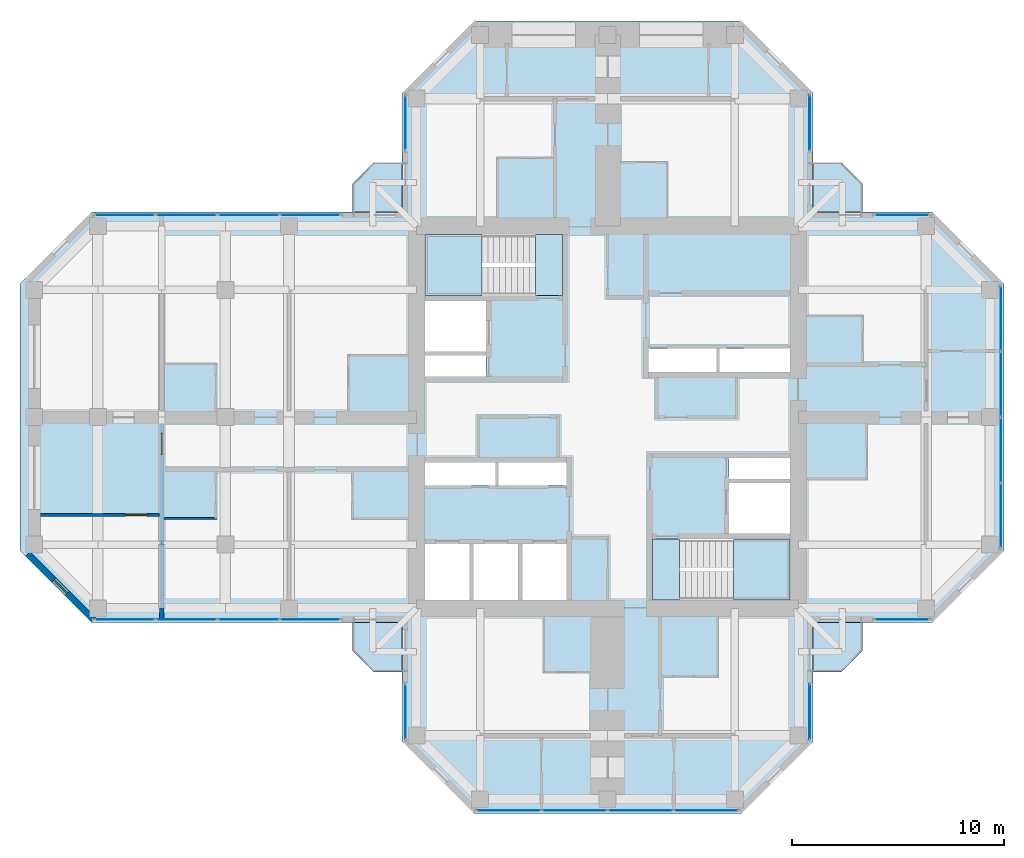
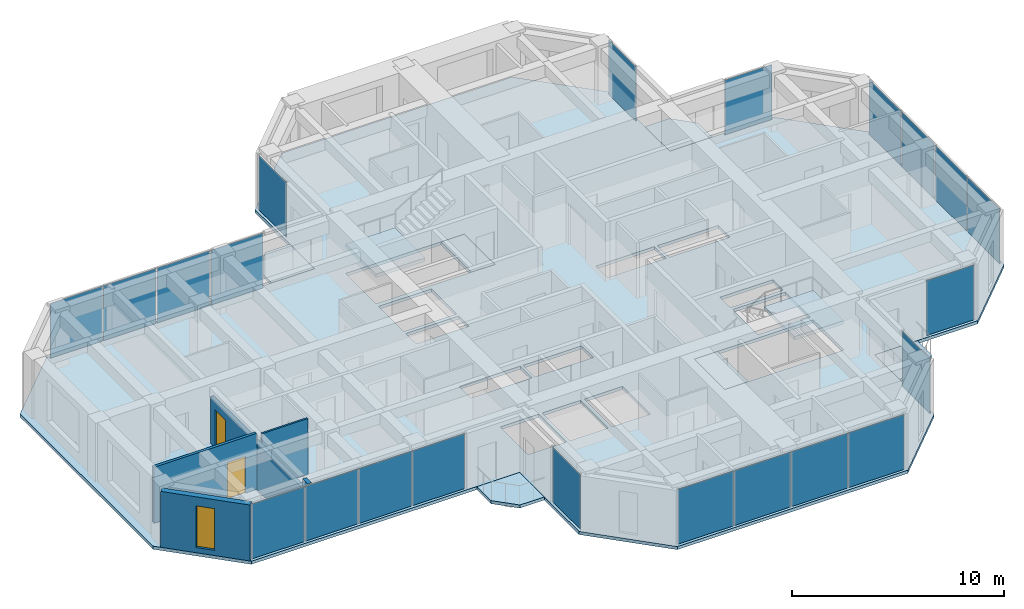
# One storey, part 7 of 14: 22 plates, 9 slabs, 5 walls, 2 doors, 1 window, 3 openings, 12 elements without a shape of their own.
"""IFC4 building model written with IfcOpenShell, lengths in metres."""

import ifcopenshell
import ifcopenshell.guid

model = None  # the IFC model being written
_history = None  # IfcOwnerHistory: only IFC2X3 demands one
_inside = {}  # id of a spatial element -> (the spatial element, [elements in it])
_under = {}  # id of a project, library or spatial element -> (it, [spatial elements below it])
_declared = {}  # id of a project -> (the project, [libraries it declares])
_typed = {}  # id of a type object -> (the type object, [elements of that type])
_made_of = {}  # id of a material, layer set ... -> (it, [elements and type objects made of it])


def new_model(schema):
    """Start an empty IFC model of exactly this schema.

    Asked for "IFC4X3", IfcOpenShell would pick the latest addendum, in which some entities
    have other attributes; the version numbers below select the first issue.
    IFC2X3 requires an IfcOwnerHistory on every rooted entity: one is made here for all.
    """
    global model, _history
    if schema == "IFC4X3":
        model = ifcopenshell.file(schema_version=(4, 3, 0, 0))
    else:
        model = ifcopenshell.file(schema=schema)
    _inside.clear()
    _under.clear()
    _declared.clear()
    _typed.clear()
    _made_of.clear()
    _history = None
    if model.schema == "IFC2X3":
        org = make("IfcOrganization", Name="unknown")
        user = make(
            "IfcPersonAndOrganization",
            ThePerson=make("IfcPerson", FamilyName="unknown"),
            TheOrganization=org,
        )
        app = make(
            "IfcApplication",
            ApplicationDeveloper=org,
            Version="unknown",
            ApplicationFullName="unknown",
            ApplicationIdentifier="unknown",
        )
        _history = make(
            "IfcOwnerHistory",
            OwningUser=user,
            OwningApplication=app,
            ChangeAction="ADDED",
            CreationDate=0,
        )
    return model


def make(cls, **values):
    """One entity of the class cls with the attributes given. An attribute that is None is left unset."""
    return model.create_entity(
        cls, **{name: value for name, value in values.items() if value is not None}
    )


def rooted(cls, **values):
    """An entity with a GlobalId (a new one), such as an element, a storey or a relation."""
    return make(cls, GlobalId=ifcopenshell.guid.new(), OwnerHistory=_history, **values)


def si_unit(unit_type, name, prefix=None):
    """IfcSIUnit, for example si_unit("LENGTHUNIT", "METRE", prefix="MILLI")."""
    return make("IfcSIUnit", UnitType=unit_type, Prefix=prefix, Name=name)


def assignment(units):
    """IfcUnitAssignment: the units of a project."""
    return None if units is None else make("IfcUnitAssignment", Units=units)


def point(xyz):
    """IfcCartesianPoint."""
    return None if xyz is None else make("IfcCartesianPoint", Coordinates=xyz)


def direction(xyz):
    """IfcDirection."""
    return None if xyz is None else make("IfcDirection", DirectionRatios=xyz)


def frame(location, z_axis=None, x_axis=None):
    """IfcAxis2Placement3D, a coordinate frame: its origin and axes. An axis left out is left unset."""
    return make(
        "IfcAxis2Placement3D",
        Location=point(location),
        Axis=direction(z_axis),
        RefDirection=direction(x_axis),
    )


def frame_2d(location, x_axis=None):
    """IfcAxis2Placement2D, a coordinate frame in the plane: its origin and x axis."""
    return make(
        "IfcAxis2Placement2D", Location=point(location), RefDirection=direction(x_axis)
    )


def origin():
    """The frame at (0, 0, 0) with its axes left unset."""
    return frame((0.0, 0.0, 0.0))


def origin_2d():
    """The frame at (0, 0) in the plane with its x axis left unset."""
    return frame_2d((0.0, 0.0))


def place(relative_to, where):
    """IfcLocalPlacement: puts the frame where relative to a parent placement (None: the world)."""
    return make(
        "IfcLocalPlacement", PlacementRelTo=relative_to, RelativePlacement=where
    )


def context(
    kind, dimensions, precision=None, world=None, true_north=None, identifier=None
):
    """IfcGeometricRepresentationContext, for example the 3D "Model" context."""
    return make(
        "IfcGeometricRepresentationContext",
        ContextIdentifier=identifier,
        ContextType=kind,
        CoordinateSpaceDimension=dimensions,
        Precision=precision,
        WorldCoordinateSystem=world,
        TrueNorth=true_north,
    )


def subcontext(parent, identifier, kind, view, scale=None):
    """IfcGeometricRepresentationSubContext, for example "Body" below "Model"."""
    return make(
        "IfcGeometricRepresentationSubContext",
        ContextIdentifier=identifier,
        ContextType=kind,
        ParentContext=parent,
        TargetScale=scale,
        TargetView=view,
    )


def project(units=None, contexts=None):
    """IfcProject with its units and contexts."""
    return rooted(
        "IfcProject",
        Name="project",
        RepresentationContexts=contexts,
        UnitsInContext=assignment(units),
    )


def spatial(cls, under=None, at=None, **own):
    """A site, building, storey or space (cls), placed at a placement, below another one or the project."""
    s = rooted(cls, ObjectPlacement=at, **own)
    if under is not None:
        _under.setdefault(under.id(), (under, []))[1].append(s)
    return s


def polyline(points):
    """IfcPolyline through the points."""
    return make("IfcPolyline", Points=[point(p) for p in points])


def profile(cls, at=None, kind="AREA", **sizes):
    """A parametric profile (cls). Its sizes go by their IFC names, for example OverallWidth=200.0."""
    return make(cls, ProfileType=kind, Position=at, **sizes)


def rectangle(**sizes):
    """IfcRectangleProfileDef."""
    return profile("IfcRectangleProfileDef", **sizes)


def hollow_rectangle(**sizes):
    """IfcRectangleHollowProfileDef."""
    return profile("IfcRectangleHollowProfileDef", **sizes)


def outline(outer, holes=None, kind="AREA"):
    """IfcArbitraryClosedProfileDef: a profile drawn as a closed curve; with holes, ...WithVoids."""
    if holes is None:
        return make("IfcArbitraryClosedProfileDef", ProfileType=kind, OuterCurve=outer)
    return make(
        "IfcArbitraryProfileDefWithVoids",
        ProfileType=kind,
        OuterCurve=outer,
        InnerCurves=holes,
    )


def extrude(swept, where, along, depth):
    """IfcExtrudedAreaSolid: the profile swept, set in the frame where, extruded along a direction by depth."""
    return make(
        "IfcExtrudedAreaSolid",
        SweptArea=swept,
        Position=where,
        ExtrudedDirection=direction(along),
        Depth=depth,
    )


def shape(context_of_items, identifier, shape_type, items):
    """IfcShapeRepresentation: the items that make up one representation, for example the "Body"."""
    return make(
        "IfcShapeRepresentation",
        ContextOfItems=context_of_items,
        RepresentationIdentifier=identifier,
        RepresentationType=shape_type,
        Items=items,
    )


def material(Name=None, Category=None):
    """IfcMaterial."""
    return make("IfcMaterial", Name=Name, Category=Category)


def layer(
    of_material, thickness, ventilated=None, Name=None, Category=None, Priority=None
):
    """IfcMaterialLayer: one layer of a wall or slab, of a material (None: an air gap)."""
    return make(
        "IfcMaterialLayer",
        Material=of_material,
        LayerThickness=thickness,
        IsVentilated=ventilated,
        Name=Name,
        Category=Category,
        Priority=Priority,
    )


def layer_set(layers, Name=None):
    """IfcMaterialLayerSet."""
    return make("IfcMaterialLayerSet", MaterialLayers=layers, LayerSetName=Name)


def constituent(of_material, Name=None, Category=None, fraction=None):
    """IfcMaterialConstituent: one of the materials an element consists of."""
    return make(
        "IfcMaterialConstituent",
        Name=Name,
        Material=of_material,
        Fraction=fraction,
        Category=Category,
    )


def constituent_set(constituents=None, Name=None):
    """IfcMaterialConstituentSet."""
    return make(
        "IfcMaterialConstituentSet", Name=Name, MaterialConstituents=constituents
    )


def made_of(thing, what):
    """Note that an element or type object is made of a material, layer set ...; save() writes the relation."""
    if what is not None:
        _made_of.setdefault(what.id(), (what, []))[1].append(thing)
    return thing


def type_object(cls, material=None, **own):
    """A type object (cls), such as IfcWallType, which elements share."""
    return made_of(rooted(cls, **own), material)


def element(
    cls,
    number,
    at=None,
    inside=None,
    cuts=None,
    type_object=None,
    material=None,
    context=None,
    identifier="Body",
    shape_type=None,
    held_by="IfcProductDefinitionShape",
    body=None,
    shapes=None,
    **own,
):
    """One element of the class cls, such as IfcWall. Its Tag is "e" and its number.

    at: its placement. inside: the storey or other place that contains it. cuts: it is an
    opening in that element (IfcRelVoidsElement). A single representation is given by context,
    identifier, shape_type and body (its items); several are given by shapes. held_by: the class
    of the entity that holds the representations. save() writes the other relations.
    """
    e = rooted(cls, Tag="e%d" % number, ObjectPlacement=at, **own)
    if body is not None:
        shapes = [shape(context, identifier, shape_type, body)]
    if shapes is not None:
        e.Representation = make(held_by, Representations=shapes)
    if inside is not None:
        _inside.setdefault(inside.id(), (inside, []))[1].append(e)
    if cuts is not None:
        rooted(
            "IfcRelVoidsElement", RelatingBuildingElement=cuts, RelatedOpeningElement=e
        )
    if type_object is not None:
        _typed.setdefault(type_object.id(), (type_object, []))[1].append(e)
    return made_of(e, material)


def fill(opening, filler):
    """IfcRelFillsElement: the door or window that sits in an opening."""
    return rooted(
        "IfcRelFillsElement",
        RelatingOpeningElement=opening,
        RelatedBuildingElement=filler,
    )


def aggregate(whole, parts):
    """IfcRelAggregates: a whole, such as a stair, and the parts it consists of."""
    return rooted("IfcRelAggregates", RelatingObject=whole, RelatedObjects=parts)


def save(model, path):
    """Write the relations noted so far, then the file.

    IfcRelAggregates (storeys below a building ...), IfcRelContainedInSpatialStructure (elements
    in a storey), IfcRelDefinesByType, IfcRelAssociatesMaterial and IfcRelDeclares: one each for
    every whole, place, type object, material and project.
    """
    for whole, parts in _under.values():
        aggregate(whole, parts)
    for where, things in _inside.values():
        rooted(
            "IfcRelContainedInSpatialStructure",
            RelatedElements=things,
            RelatingStructure=where,
        )
    for kind, things in _typed.values():
        rooted("IfcRelDefinesByType", RelatedObjects=things, RelatingType=kind)
    for what, things in _made_of.values():
        rooted("IfcRelAssociatesMaterial", RelatedObjects=things, RelatingMaterial=what)
    for by, libraries in _declared.values():
        rooted("IfcRelDeclares", RelatingContext=by, RelatedDefinitions=libraries)
    model.write(path)


model = new_model("IFC4")

# Units and contexts
model_context = context("Model", 3, precision=1e-05, world=origin(), true_north=direction((0.0, 1.0)))
body_context = subcontext(model_context, "Body", "Model", "MODEL_VIEW")
ifc_project = project(units=[si_unit("LENGTHUNIT", "METRE"), si_unit("AREAUNIT", "SQUARE_METRE"), si_unit("VOLUMEUNIT", "CUBIC_METRE"), si_unit("PLANEANGLEUNIT", "RADIAN"), si_unit("MASSUNIT", "GRAM", prefix="KILO")], contexts=[model_context])

# Site, building, storey
site_placement = place(None, origin())
site = spatial("IfcSite", under=ifc_project, at=site_placement, CompositionType="ELEMENT")
building_placement = place(site_placement, origin())
building = spatial("IfcBuilding", under=site, at=building_placement, Name="Torre Cruceta", CompositionType="ELEMENT")
storey_placement = place(building_placement, frame((0.0, 0.0, 228.89990234375)))
storey = spatial("IfcBuildingStorey", under=building, at=storey_placement, Name="L58", CompositionType="ELEMENT", Elevation=228.89990234375)

# Slabs
ifc_material_1 = material(Name="Concrete G35 (fck 35 MPa)", Category="concrete")
ifc_layer_1 = layer(ifc_material_1, 0.179931640625)
ifc_layer_set_1 = layer_set([ifc_layer_1], Name="Concrete G35 (fck 35 MPa)")
slab_type_1 = type_object("IfcSlabType", Name="BALCONY SLAB 180", PredefinedType="USERDEFINED", material=ifc_layer_set_1)
slab_1_placement = place(storey_placement, frame((0.0, 0.0, -0.179931640625)))
element("IfcSlab", 1, at=slab_1_placement, inside=storey, type_object=slab_type_1, Name="Balcony slab L58 N", ObjectType="BALCONY", PredefinedType="USERDEFINED", context=body_context, shape_type="SweptSolid", body=[
    extrude(outline(polyline([(-12.0, 11.0), (-11.0, 12.0), (-9.669921875, 12.0), (-9.669921875, 9.669921875), (-12.0, 9.669921875), (-12.0, 11.0)])), origin(), (0.0, 0.0, 1.0), 0.179931640625),
])
slab_2_placement = place(storey_placement, frame((0.0, 0.0, -0.179931640625)))
element("IfcSlab", 2, at=slab_2_placement, inside=storey, type_object=slab_type_1, Name="Balcony slab L58 E", ObjectType="BALCONY", PredefinedType="USERDEFINED", context=body_context, shape_type="SweptSolid", body=[
    extrude(outline(polyline([(11.0, 12.0), (12.0, 11.0), (12.0, 9.669921875), (9.669921875, 9.669921875), (9.669921875, 12.0), (11.0, 12.0)])), origin(), (0.0, 0.0, 1.0), 0.179931640625),
])
slab_3_placement = place(storey_placement, frame((0.0, 0.0, -0.179931640625)))
element("IfcSlab", 3, at=slab_3_placement, inside=storey, type_object=slab_type_1, Name="Balcony slab L58 S", ObjectType="BALCONY", PredefinedType="USERDEFINED", context=body_context, shape_type="SweptSolid", body=[
    extrude(outline(polyline([(12.0, -11.0), (11.0, -12.0), (9.669921875, -12.0), (9.669921875, -9.669921875), (12.0, -9.669921875), (12.0, -11.0)])), origin(), (0.0, 0.0, 1.0), 0.179931640625),
])
slab_4_placement = place(storey_placement, frame((0.0, 0.0, -0.179931640625)))
element("IfcSlab", 4, at=slab_4_placement, inside=storey, type_object=slab_type_1, Name="Balcony slab L58 W", ObjectType="BALCONY", PredefinedType="USERDEFINED", context=body_context, shape_type="SweptSolid", body=[
    extrude(outline(polyline([(-11.0, -12.0), (-12.0, -11.0), (-12.0, -9.669921875), (-9.669921875, -9.669921875), (-9.669921875, -12.0), (-11.0, -12.0)])), origin(), (0.0, 0.0, 1.0), 0.179931640625),
])

# Curtain wall, plate
ifc_material_2 = material(Name="Aluminium unitised curtain wall", Category="aluminium")
curtain_wall_type = type_object("IfcCurtainWallType", Name="CURTAIN WALL CW-D CO-LIVING UPPER", PredefinedType="USERDEFINED", material=ifc_material_2)
curtain_wall_1_placement = place(storey_placement, origin())
curtain_wall_1 = element("IfcCurtainWall", 5, at=curtain_wall_1_placement, inside=storey, type_object=curtain_wall_type, Name="CW-D L58 E tip 02", ObjectType="UNITISED", PredefinedType="USERDEFINED")
ifc_material_3 = material(Name="Laminated insulating glass unit, diagonal frit 50 %", Category="glass")
ifc_material_4 = material(Name="Laminated insulating glass unit, diagonal frit 50 %", Category="glass")
ifc_layer_2 = layer(ifc_material_4, 0.028076171875)
ifc_layer_set_2 = layer_set([ifc_layer_2], Name="Laminated insulating glass unit, diagonal frit 50 %")
plate_type_1 = type_object("IfcPlateType", Name="CW-D OPERABLE VENT PANEL 28", PredefinedType="CURTAIN_PANEL", material=ifc_layer_set_2)
plate_1_placement = place(storey_placement, frame((18.52001953125, -1.553955078125, 0.01025390625), z_axis=(0.0, 0.0, 1.0), x_axis=(0.0, 1.0, 0.0)))
plate_1 = element("IfcPlate", 6, at=plate_1_placement, type_object=plate_type_1, material=ifc_material_3, Name="CW-D vent 2", PredefinedType="CURTAIN_PANEL", context=body_context, shape_type="SweptSolid", body=[
    extrude(rectangle(XDim=3.047607421875, YDim=0.028076171875, at=origin_2d()), origin(), (0.0, 0.0, 1.0), 3.14990234375),
])

curtain_wall_2_placement = place(storey_placement, origin())
curtain_wall_2 = element("IfcCurtainWall", 7, at=curtain_wall_2_placement, inside=storey, type_object=curtain_wall_type, Name="CW-D L58 W side 10", ObjectType="UNITISED", PredefinedType="USERDEFINED")
plate_2_placement = place(storey_placement, frame((-16.90576171875, 9.52001953125, 0.01025390625), z_axis=(0.0, 0.0, 1.0), x_axis=(-1.0, 0.0, 0.0)))
plate_2 = element("IfcPlate", 8, at=plate_2_placement, type_object=plate_type_1, material=ifc_material_3, Name="CW-D vent 2", PredefinedType="CURTAIN_PANEL", context=body_context, shape_type="SweptSolid", body=[
    extrude(rectangle(XDim=2.86376953125, YDim=0.028076171875, at=origin_2d()), origin(), (0.0, 0.0, 1.0), 3.14990234375),
])

curtain_wall_3_placement = place(storey_placement, origin())
curtain_wall_3 = element("IfcCurtainWall", 9, at=curtain_wall_3_placement, inside=storey, type_object=curtain_wall_type, Name="CW-D L58 W side 14", ObjectType="UNITISED", PredefinedType="USERDEFINED")
plate_3_placement = place(storey_placement, frame((-19.82958984375, -9.52001953125, 0.01025390625), z_axis=(0.0, 0.0, 1.0), x_axis=(1.0, 0.0, 0.0)))
plate_3 = element("IfcPlate", 10, at=plate_3_placement, type_object=plate_type_1, material=ifc_material_3, Name="CW-D vent 2", PredefinedType="CURTAIN_PANEL", context=body_context, shape_type="SweptSolid", body=[
    extrude(rectangle(XDim=2.86376953125, YDim=0.028076171875, at=origin_2d()), origin(), (0.0, 0.0, 1.0), 3.14990234375),
])

curtain_wall_4_placement = place(storey_placement, origin())
curtain_wall_4 = element("IfcCurtainWall", 11, at=curtain_wall_4_placement, inside=storey, type_object=curtain_wall_type, Name="CW-D L58 S tip 17", ObjectType="UNITISED", PredefinedType="USERDEFINED")
plate_4_placement = place(storey_placement, frame((-1.553955078125, -18.52001953125, 0.01025390625), z_axis=(0.0, 0.0, 1.0), x_axis=(1.0, 0.0, 0.0)))
plate_4 = element("IfcPlate", 12, at=plate_4_placement, type_object=plate_type_1, material=ifc_material_3, Name="CW-D vent 2", PredefinedType="CURTAIN_PANEL", context=body_context, shape_type="SweptSolid", body=[
    extrude(rectangle(XDim=3.047607421875, YDim=0.028076171875, at=origin_2d()), origin(), (0.0, 0.0, 1.0), 3.14990234375),
])

curtain_wall_5_placement = place(storey_placement, origin())
curtain_wall_5 = element("IfcCurtainWall", 13, at=curtain_wall_5_placement, inside=storey, type_object=curtain_wall_type, Name="CW-D L58 E side 00", ObjectType="UNITISED", PredefinedType="USERDEFINED")
ifc_material_5 = material(Name="Laminated insulating glass unit, diagonal frit 50 %", Category="glass")
ifc_layer_3 = layer(ifc_material_5, 0.028076171875)
ifc_layer_set_3 = layer_set([ifc_layer_3], Name="Laminated insulating glass unit, diagonal frit 50 %")
plate_type_2 = type_object("IfcPlateType", Name="CW-D PANEL 28", PredefinedType="CURTAIN_PANEL", material=ifc_layer_set_3)
plate_5_placement = place(storey_placement, frame((13.86767578125, -9.52001953125, 0.01025390625), z_axis=(0.0, 0.0, 1.0), x_axis=(1.0, 0.0, 0.0)))
plate_5 = element("IfcPlate", 14, at=plate_5_placement, type_object=plate_type_2, material=ifc_material_3, Name="CW-D panel 1", PredefinedType="CURTAIN_PANEL", context=body_context, shape_type="SweptSolid", body=[
    extrude(rectangle(XDim=2.575439453125, YDim=0.028076171875, at=origin_2d()), origin(), (0.0, 0.0, 1.0), 3.14990234375),
])
aggregate(curtain_wall_5, [plate_5])

# Plate
plate_6_placement = place(storey_placement, frame((18.52001953125, -4.646484375, 0.01025390625), z_axis=(0.0, 0.0, 1.0), x_axis=(0.0, 1.0, 0.0)))
plate_6 = element("IfcPlate", 15, at=plate_6_placement, type_object=plate_type_2, material=ifc_material_3, Name="CW-D panel 1", PredefinedType="CURTAIN_PANEL", context=body_context, shape_type="SweptSolid", body=[
    extrude(rectangle(XDim=3.017578125, YDim=0.028076171875, at=origin_2d()), origin(), (0.0, 0.0, 1.0), 3.14990234375),
])

ifc_material_6 = material(Name="Laminated insulating glass unit, low-iron clear", Category="glass")
plate_7_placement = place(storey_placement, frame((18.52001953125, 1.553955078125, 0.01025390625), z_axis=(0.0, 0.0, 1.0), x_axis=(0.0, 1.0, 0.0)))
plate_7 = element("IfcPlate", 16, at=plate_7_placement, type_object=plate_type_2, material=ifc_material_6, Name="CW-D panel 3", PredefinedType="CURTAIN_PANEL", context=body_context, shape_type="SweptSolid", body=[
    extrude(rectangle(XDim=3.047607421875, YDim=0.028076171875, at=origin_2d()), origin(), (0.0, 0.0, 1.0), 3.14990234375),
])

plate_8_placement = place(storey_placement, frame((18.52001953125, 4.646484375, 0.01025390625), z_axis=(0.0, 0.0, 1.0), x_axis=(0.0, 1.0, 0.0)))
plate_8 = element("IfcPlate", 17, at=plate_8_placement, type_object=plate_type_2, material=ifc_material_6, Name="CW-D panel 4", PredefinedType="CURTAIN_PANEL", context=body_context, shape_type="SweptSolid", body=[
    extrude(rectangle(XDim=3.017578125, YDim=0.028076171875, at=origin_2d()), origin(), (0.0, 0.0, 1.0), 3.14990234375),
])

aggregate(curtain_wall_1, [plate_6, plate_1, plate_7, plate_8])

# Curtain wall, plate
curtain_wall_6_placement = place(storey_placement, origin())
curtain_wall_6 = element("IfcCurtainWall", 18, at=curtain_wall_6_placement, inside=storey, type_object=curtain_wall_type, Name="CW-D L58 E side 04", ObjectType="UNITISED", PredefinedType="USERDEFINED")
plate_9_placement = place(storey_placement, frame((13.86767578125, 9.52001953125, 0.01025390625), z_axis=(0.0, 0.0, 1.0), x_axis=(-1.0, 0.0, 0.0)))
plate_9 = element("IfcPlate", 19, at=plate_9_placement, type_object=plate_type_2, material=ifc_material_3, Name="CW-D panel 1", PredefinedType="CURTAIN_PANEL", context=body_context, shape_type="SweptSolid", body=[
    extrude(rectangle(XDim=2.575439453125, YDim=0.028076171875, at=origin_2d()), origin(), (0.0, 0.0, 1.0), 3.14990234375),
])
aggregate(curtain_wall_6, [plate_9])

curtain_wall_7_placement = place(storey_placement, origin())
curtain_wall_7 = element("IfcCurtainWall", 20, at=curtain_wall_7_placement, inside=storey, type_object=curtain_wall_type, Name="CW-D L58 N side 05", ObjectType="UNITISED", PredefinedType="USERDEFINED")
plate_10_placement = place(storey_placement, frame((9.52001953125, 13.86767578125, 0.01025390625), z_axis=(0.0, 0.0, 1.0), x_axis=(0.0, 1.0, 0.0)))
plate_10 = element("IfcPlate", 21, at=plate_10_placement, type_object=plate_type_2, material=ifc_material_3, Name="CW-D panel 1", PredefinedType="CURTAIN_PANEL", context=body_context, shape_type="SweptSolid", body=[
    extrude(rectangle(XDim=2.575439453125, YDim=0.028076171875, at=origin_2d()), origin(), (0.0, 0.0, 1.0), 3.14990234375),
])
aggregate(curtain_wall_7, [plate_10])

curtain_wall_8_placement = place(storey_placement, origin())
curtain_wall_8 = element("IfcCurtainWall", 22, at=curtain_wall_8_placement, inside=storey, type_object=curtain_wall_type, Name="CW-D L58 N side 09", ObjectType="UNITISED", PredefinedType="USERDEFINED")
plate_11_placement = place(storey_placement, frame((-9.52001953125, 13.86767578125, 0.01025390625), z_axis=(0.0, 0.0, 1.0), x_axis=(0.0, -1.0, 0.0)))
plate_11 = element("IfcPlate", 23, at=plate_11_placement, type_object=plate_type_2, material=ifc_material_3, Name="CW-D panel 1", PredefinedType="CURTAIN_PANEL", context=body_context, shape_type="SweptSolid", body=[
    extrude(rectangle(XDim=2.575439453125, YDim=0.028076171875, at=origin_2d()), origin(), (0.0, 0.0, 1.0), 3.14990234375),
])
aggregate(curtain_wall_8, [plate_11])

# Plate
plate_12_placement = place(storey_placement, frame((-13.996826171875, 9.52001953125, 0.01025390625), z_axis=(0.0, 0.0, 1.0), x_axis=(-1.0, 0.0, 0.0)))
plate_12 = element("IfcPlate", 24, at=plate_12_placement, type_object=plate_type_2, material=ifc_material_3, Name="CW-D panel 1", PredefinedType="CURTAIN_PANEL", context=body_context, shape_type="SweptSolid", body=[
    extrude(rectangle(XDim=2.833740234375, YDim=0.028076171875, at=origin_2d()), origin(), (0.0, 0.0, 1.0), 3.14990234375),
])

plate_13_placement = place(storey_placement, frame((-19.82958984375, 9.52001953125, 0.01025390625), z_axis=(0.0, 0.0, 1.0), x_axis=(-1.0, 0.0, 0.0)))
plate_13 = element("IfcPlate", 25, at=plate_13_placement, type_object=plate_type_2, material=ifc_material_6, Name="CW-D panel 3", PredefinedType="CURTAIN_PANEL", context=body_context, shape_type="SweptSolid", body=[
    extrude(rectangle(XDim=2.86376953125, YDim=0.028076171875, at=origin_2d()), origin(), (0.0, 0.0, 1.0), 3.14990234375),
])

plate_14_placement = place(storey_placement, frame((-22.738525390625, 9.52001953125, 0.01025390625), z_axis=(0.0, 0.0, 1.0), x_axis=(-1.0, 0.0, 0.0)))
plate_14 = element("IfcPlate", 26, at=plate_14_placement, type_object=plate_type_2, material=ifc_material_6, Name="CW-D panel 4", PredefinedType="CURTAIN_PANEL", context=body_context, shape_type="SweptSolid", body=[
    extrude(rectangle(XDim=2.833740234375, YDim=0.028076171875, at=origin_2d()), origin(), (0.0, 0.0, 1.0), 3.14990234375),
])

aggregate(curtain_wall_2, [plate_12, plate_2, plate_13, plate_14])

plate_15_placement = place(storey_placement, frame((-22.738525390625, -9.52001953125, 0.01025390625), z_axis=(0.0, 0.0, 1.0), x_axis=(1.0, 0.0, 0.0)))
plate_15 = element("IfcPlate", 27, at=plate_15_placement, type_object=plate_type_2, material=ifc_material_3, Name="CW-D panel 1", PredefinedType="CURTAIN_PANEL", context=body_context, shape_type="SweptSolid", body=[
    extrude(rectangle(XDim=2.833740234375, YDim=0.028076171875, at=origin_2d()), origin(), (0.0, 0.0, 1.0), 3.14990234375),
])

plate_16_placement = place(storey_placement, frame((-16.90576171875, -9.52001953125, 0.01025390625), z_axis=(0.0, 0.0, 1.0), x_axis=(1.0, 0.0, 0.0)))
plate_16 = element("IfcPlate", 28, at=plate_16_placement, type_object=plate_type_2, material=ifc_material_6, Name="CW-D panel 3", PredefinedType="CURTAIN_PANEL", context=body_context, shape_type="SweptSolid", body=[
    extrude(rectangle(XDim=2.86376953125, YDim=0.028076171875, at=origin_2d()), origin(), (0.0, 0.0, 1.0), 3.14990234375),
])

plate_17_placement = place(storey_placement, frame((-13.996826171875, -9.52001953125, 0.01025390625), z_axis=(0.0, 0.0, 1.0), x_axis=(1.0, 0.0, 0.0)))
plate_17 = element("IfcPlate", 29, at=plate_17_placement, type_object=plate_type_2, material=ifc_material_6, Name="CW-D panel 4", PredefinedType="CURTAIN_PANEL", context=body_context, shape_type="SweptSolid", body=[
    extrude(rectangle(XDim=2.833740234375, YDim=0.028076171875, at=origin_2d()), origin(), (0.0, 0.0, 1.0), 3.14990234375),
])

aggregate(curtain_wall_3, [plate_15, plate_3, plate_16, plate_17])

# Curtain wall, plate
curtain_wall_9_placement = place(storey_placement, origin())
curtain_wall_9 = element("IfcCurtainWall", 30, at=curtain_wall_9_placement, inside=storey, type_object=curtain_wall_type, Name="CW-D L58 S side 15", ObjectType="UNITISED", PredefinedType="USERDEFINED")
plate_18_placement = place(storey_placement, frame((-9.52001953125, -13.86767578125, 0.01025390625), z_axis=(0.0, 0.0, 1.0), x_axis=(0.0, -1.0, 0.0)))
plate_18 = element("IfcPlate", 31, at=plate_18_placement, type_object=plate_type_2, material=ifc_material_3, Name="CW-D panel 1", PredefinedType="CURTAIN_PANEL", context=body_context, shape_type="SweptSolid", body=[
    extrude(rectangle(XDim=2.575439453125, YDim=0.028076171875, at=origin_2d()), origin(), (0.0, 0.0, 1.0), 3.14990234375),
])
aggregate(curtain_wall_9, [plate_18])

# Plate
plate_19_placement = place(storey_placement, frame((-4.646484375, -18.52001953125, 0.01025390625), z_axis=(0.0, 0.0, 1.0), x_axis=(1.0, 0.0, 0.0)))
plate_19 = element("IfcPlate", 32, at=plate_19_placement, type_object=plate_type_2, material=ifc_material_3, Name="CW-D panel 1", PredefinedType="CURTAIN_PANEL", context=body_context, shape_type="SweptSolid", body=[
    extrude(rectangle(XDim=3.017578125, YDim=0.028076171875, at=origin_2d()), origin(), (0.0, 0.0, 1.0), 3.14990234375),
])

plate_20_placement = place(storey_placement, frame((1.553955078125, -18.52001953125, 0.01025390625), z_axis=(0.0, 0.0, 1.0), x_axis=(1.0, 0.0, 0.0)))
plate_20 = element("IfcPlate", 33, at=plate_20_placement, type_object=plate_type_2, material=ifc_material_6, Name="CW-D panel 3", PredefinedType="CURTAIN_PANEL", context=body_context, shape_type="SweptSolid", body=[
    extrude(rectangle(XDim=3.047607421875, YDim=0.028076171875, at=origin_2d()), origin(), (0.0, 0.0, 1.0), 3.14990234375),
])

plate_21_placement = place(storey_placement, frame((4.646484375, -18.52001953125, 0.01025390625), z_axis=(0.0, 0.0, 1.0), x_axis=(1.0, 0.0, 0.0)))
plate_21 = element("IfcPlate", 34, at=plate_21_placement, type_object=plate_type_2, material=ifc_material_6, Name="CW-D panel 4", PredefinedType="CURTAIN_PANEL", context=body_context, shape_type="SweptSolid", body=[
    extrude(rectangle(XDim=3.017578125, YDim=0.028076171875, at=origin_2d()), origin(), (0.0, 0.0, 1.0), 3.14990234375),
])

aggregate(curtain_wall_4, [plate_19, plate_4, plate_20, plate_21])

# Curtain wall, plate
curtain_wall_10_placement = place(storey_placement, origin())
curtain_wall_10 = element("IfcCurtainWall", 35, at=curtain_wall_10_placement, inside=storey, type_object=curtain_wall_type, Name="CW-D L58 S side 19", ObjectType="UNITISED", PredefinedType="USERDEFINED")
plate_22_placement = place(storey_placement, frame((9.52001953125, -13.86767578125, 0.01025390625), z_axis=(0.0, 0.0, 1.0), x_axis=(0.0, 1.0, 0.0)))
plate_22 = element("IfcPlate", 36, at=plate_22_placement, type_object=plate_type_2, material=ifc_material_3, Name="CW-D panel 1", PredefinedType="CURTAIN_PANEL", context=body_context, shape_type="SweptSolid", body=[
    extrude(rectangle(XDim=2.575439453125, YDim=0.028076171875, at=origin_2d()), origin(), (0.0, 0.0, 1.0), 3.14990234375),
])
aggregate(curtain_wall_10, [plate_22])

# Slab
ifc_material_7 = material(Name="Concrete G35 (fck 35 MPa)", Category="concrete")
ifc_layer_4 = layer(ifc_material_7, 0.179931640625)
ifc_layer_set_4 = layer_set([ifc_layer_4], Name="Concrete G35 (fck 35 MPa)")
slab_type_2 = type_object("IfcSlabType", Name="FLOOR SLAB 180", PredefinedType="FLOOR", material=ifc_layer_set_4)
slab_5_placement = place(storey_placement, frame((0.0, 0.0, -0.179931640625)))
element("IfcSlab", 37, at=slab_5_placement, inside=storey, type_object=slab_type_2, Name="Floor Slab L58", PredefinedType="FLOOR", context=body_context, shape_type="SweptSolid", body=[
    extrude(outline(polyline([(9.669921875, -9.669921875), (9.669921875, -15.277587890625), (6.277587890625, -18.669921875), (-6.277587890625, -18.669921875), (-9.669921875, -15.277587890625), (-9.669921875, -9.669921875), (-24.277587890625, -9.669921875), (-27.669921875, -6.277587890625), (-27.669921875, 6.277587890625), (-24.277587890625, 9.669921875), (-9.669921875, 9.669921875), (-9.669921875, 15.277587890625), (-6.277587890625, 18.669921875), (6.277587890625, 18.669921875), (9.669921875, 15.277587890625), (9.669921875, 9.669921875), (15.277587890625, 9.669921875), (18.669921875, 6.277587890625), (18.669921875, -6.277587890625), (15.277587890625, -9.669921875), (9.669921875, -9.669921875)]), holes=[polyline([(1.925048828125, 2.125), (5.125, 2.125), (5.125, 3.22509765625), (1.925048828125, 3.22509765625), (1.925048828125, 2.125)]), polyline([(5.27490234375, 2.125), (8.60009765625, 2.125), (8.60009765625, 3.22509765625), (5.27490234375, 3.22509765625), (5.27490234375, 2.125)]), polyline([(-8.60009765625, 3.10009765625), (-5.72509765625, 3.10009765625), (-5.72509765625, 5.47509765625), (-8.60009765625, 5.47509765625), (-8.60009765625, 3.10009765625)]), polyline([(-8.60009765625, 1.925048828125), (-5.72509765625, 1.925048828125), (-5.72509765625, 2.89990234375), (-8.60009765625, 2.89990234375), (-8.60009765625, 1.925048828125)]), polyline([(-4.0166015625, -8.60009765625), (-1.925048828125, -8.60009765625), (-1.925048828125, -5.97509765625), (-4.0166015625, -5.97509765625), (-4.0166015625, -8.60009765625)]), polyline([(-6.308349609375, -8.60009765625), (-4.216552734375, -8.60009765625), (-4.216552734375, -5.97509765625), (-6.308349609375, -5.97509765625), (-6.308349609375, -8.60009765625)]), polyline([(-8.60009765625, -8.60009765625), (-6.50830078125, -8.60009765625), (-6.50830078125, -5.97509765625), (-8.60009765625, -5.97509765625), (-8.60009765625, -8.60009765625)]), polyline([(-5.125, -3.22509765625), (-1.925048828125, -3.22509765625), (-1.925048828125, -2.125), (-5.125, -2.125), (-5.125, -3.22509765625)]), polyline([(-8.60009765625, -3.22509765625), (-5.27490234375, -3.22509765625), (-5.27490234375, -2.125), (-8.60009765625, -2.125), (-8.60009765625, -3.22509765625)]), polyline([(5.72509765625, -5.47509765625), (8.60009765625, -5.47509765625), (8.60009765625, -3.10009765625), (5.72509765625, -3.10009765625), (5.72509765625, -5.47509765625)]), polyline([(5.72509765625, -2.89990234375), (8.60009765625, -2.89990234375), (8.60009765625, -1.925048828125), (5.72509765625, -1.925048828125), (5.72509765625, -2.89990234375)]), polyline([(-8.60009765625, 5.72509765625), (-8.60009765625, 8.60009765625), (-3.39990234375, 8.60009765625), (-2.125, 8.60009765625), (-2.125, 5.72509765625), (-3.39990234375, 5.72509765625), (-8.60009765625, 5.72509765625)]), polyline([(2.125, -5.72509765625), (3.39990234375, -5.72509765625), (8.60009765625, -5.72509765625), (8.60009765625, -8.60009765625), (3.39990234375, -8.60009765625), (2.125, -8.60009765625), (2.125, -5.72509765625)])]), origin(), (0.0, 0.0, 1.0), 0.179931640625),
])

# Stair, slab
ifc_material_8 = material(Name="Concrete G30 (fck 30 MPa)", Category="concrete")
stair_type = type_object("IfcStairType", Name="STAIR HALF-TURN 1300", PredefinedType="HALF_TURN_STAIR", material=ifc_material_8)
stair_1_placement = place(storey_placement, origin())
stair_1 = element("IfcStair", 38, at=stair_1_placement, inside=storey, type_object=stair_type, Name="Stair ST1 L58", PredefinedType="HALF_TURN_STAIR")
ifc_material_9 = material(Name="Concrete G30 (fck 30 MPa)", Category="concrete")
ifc_layer_5 = layer(ifc_material_9, 0.199951171875)
ifc_layer_set_5 = layer_set([ifc_layer_5], Name="Concrete G30 (fck 30 MPa)")
slab_type_3 = type_object("IfcSlabType", Name="STAIR LANDING 200", PredefinedType="LANDING", material=ifc_layer_set_5)
slab_6_placement = place(storey_placement, frame((0.0, 0.0, 1.5)))
slab_6 = element("IfcSlab", 39, at=slab_6_placement, type_object=slab_type_3, Name="ST1 landing 1", PredefinedType="LANDING", context=body_context, shape_type="SweptSolid", body=[
    extrude(outline(polyline([(-8.60009765625, 5.72509765625), (-5.919921875, 5.72509765625), (-5.919921875, 8.60009765625), (-8.60009765625, 8.60009765625), (-8.60009765625, 5.72509765625)])), origin(), (0.0, 0.0, 1.0), 0.2001953125),
])
aggregate(stair_1, [slab_6])

stair_2_placement = place(storey_placement, origin())
stair_2 = element("IfcStair", 40, at=stair_2_placement, inside=storey, type_object=stair_type, Name="Stair ST2 L58", PredefinedType="HALF_TURN_STAIR")
slab_7_placement = place(storey_placement, frame((0.0, 0.0, 1.5)))
slab_7 = element("IfcSlab", 41, at=slab_7_placement, type_object=slab_type_3, Name="ST2 landing 1", PredefinedType="LANDING", context=body_context, shape_type="SweptSolid", body=[
    extrude(outline(polyline([(5.919921875, -8.60009765625), (8.60009765625, -8.60009765625), (8.60009765625, -5.72509765625), (5.919921875, -5.72509765625), (5.919921875, -8.60009765625)])), origin(), (0.0, 0.0, 1.0), 0.2001953125),
])
aggregate(stair_2, [slab_7])

# Slabs
slab_8_placement = place(storey_placement, frame((0.0, 0.0, -0.199951171875)))
element("IfcSlab", 42, at=slab_8_placement, inside=storey, type_object=slab_type_3, Name="Stair ST1 floor landing L58", PredefinedType="LANDING", context=body_context, shape_type="SweptSolid", body=[
    extrude(outline(polyline([(-2.125, 8.60009765625), (-2.125, 5.72509765625), (-3.39990234375, 5.72509765625), (-3.39990234375, 8.60009765625), (-2.125, 8.60009765625)])), origin(), (0.0, 0.0, 1.0), 0.199951171875),
])
slab_9_placement = place(storey_placement, frame((0.0, 0.0, -0.199951171875)))
element("IfcSlab", 43, at=slab_9_placement, inside=storey, type_object=slab_type_3, Name="Stair ST2 floor landing L58", PredefinedType="LANDING", context=body_context, shape_type="SweptSolid", body=[
    extrude(outline(polyline([(2.125, -8.60009765625), (2.125, -5.72509765625), (3.39990234375, -5.72509765625), (3.39990234375, -8.60009765625), (2.125, -8.60009765625)])), origin(), (0.0, 0.0, 1.0), 0.199951171875),
])

# Wall
ifc_material_10 = material(Name="Water-resistant plasterboard on steel studs", Category="steel")
ifc_layer_6 = layer(ifc_material_10, 0.10009765625)
ifc_layer_set_6 = layer_set([ifc_layer_6], Name="Water-resistant plasterboard on steel studs")
wall_type_1 = type_object("IfcWallType", Name="BATHROOM WALL 100", PredefinedType="PARTITIONING", material=ifc_layer_set_6)
wall_1_placement = place(storey_placement, frame((-18.39990234375, -4.77490234375, 0.0), z_axis=(0.0, 0.0, 1.0), x_axis=(-1.0, 0.0, 0.0)))
element("IfcWall", 44, at=wall_1_placement, inside=storey, type_object=wall_type_1, Name="PT4 L58-W-U2LBB", PredefinedType="PARTITIONING", context=body_context, shape_type="SweptSolid", body=[
    extrude(rectangle(XDim=2.5, YDim=0.10009765625, at=frame_2d((1.25, 0.0))), origin(), (0.0, 0.0, 1.0), 3.22021484375),
])

# Wall, opening, window
ifc_material_11 = material(Name="Concrete G30 (fck 30 MPa)", Category="concrete")
ifc_layer_7 = layer(ifc_material_11, 0.300048828125)
ifc_layer_set_7 = layer_set([ifc_layer_7], Name="Concrete G30 (fck 30 MPa)")
wall_type_2 = type_object("IfcWallType", Name="EXPOSED CONCRETE FACADE WALL 300", PredefinedType="SOLIDWALL", material=ifc_layer_set_7)
wall_2_placement = place(storey_placement, frame((-27.300048828125, -6.435302734375, 0.0), z_axis=(0.0, 0.0, 1.0), x_axis=(0.707106781187, -0.707106781187, 0.0)))
wall_2 = element("IfcWall", 45, at=wall_2_placement, inside=storey, type_object=wall_type_2, Name="EW1 facade wall L58 W chamfer 13", PredefinedType="SOLIDWALL", context=body_context, shape_type="SweptSolid", body=[
    extrude(rectangle(XDim=4.362548828125, YDim=0.300048828125, at=frame_2d((2.18115234375, 0.0))), origin(), (0.0, 0.0, 1.0), 3.22021484375),
])
opening_1_placement = place(wall_2_placement, frame((1.731201171875, 0.0, 0.300048828125)))
opening_1 = element("IfcOpeningElement", 46, at=opening_1_placement, cuts=wall_2, Name="Opening WN5", PredefinedType="OPENING", context=body_context, shape_type="SweptSolid", body=[
    extrude(rectangle(XDim=0.89990234375, YDim=2.39990234375, at=frame_2d((0.449951171875, 1.199951171875))), frame((0.0, 0.159912109375, 0.0), z_axis=(0.0, -1.0, 0.0), x_axis=(1.0, 0.0, 0.0)), (0.0, 0.0, 1.0), 0.320068359375),
])
ifc_material_12 = material(Name="Aluminium window frame", Category="aluminium")
ifc_constituent_1 = constituent(ifc_material_12, Name="Frame")
ifc_material_13 = material(Name="Laminated insulating glass unit, low-iron clear", Category="glass")
ifc_constituent_2 = constituent(ifc_material_13, Name="Glazing")
ifc_constituent_set_1 = constituent_set(constituents=[ifc_constituent_1, ifc_constituent_2], Name="Aluminium window")
window_type = type_object("IfcWindowType", Name="CHAMFER SLOT WINDOW 900X2400", PartitioningType="SINGLE_PANEL", PredefinedType="WINDOW", material=ifc_constituent_set_1)
window_placement = place(opening_1_placement, origin())
window = element("IfcWindow", 47, at=window_placement, inside=storey, type_object=window_type, Name="WN5 L58 W 1", OverallHeight=2.39990234375, OverallWidth=0.89990234375, PartitioningType="SINGLE_PANEL", PredefinedType="WINDOW", context=body_context, shape_type="SweptSolid", body=[
    extrude(hollow_rectangle(XDim=0.89990234375, YDim=2.39990234375, WallThickness=0.06005859375, at=frame_2d((0.449951171875, 1.199951171875))), frame((0.0, 0.030029296875, 0.0), z_axis=(0.0, -1.0, 0.0), x_axis=(1.0, 0.0, 0.0)), (0.0, 0.0, 1.0), 0.06005859375),
    extrude(rectangle(XDim=0.77880859375, YDim=2.27880859375, at=frame_2d((0.449951171875, 1.199951171875))), frame((0.0, 0.030029296875, 0.0), z_axis=(0.0, -1.0, 0.0), x_axis=(1.0, 0.0, 0.0)), (0.0, 0.0, 1.0), 0.06005859375),
])
fill(opening_1, window)

# Wall, opening, door
ifc_material_14 = material(Name="Plasterboard on steel studs", Category="steel")
ifc_layer_8 = layer(ifc_material_14, 0.14990234375)
ifc_layer_set_8 = layer_set([ifc_layer_8], Name="Plasterboard on steel studs")
wall_type_3 = type_object("IfcWallType", Name="PARTITION 150", PredefinedType="PARTITIONING", material=ifc_layer_set_8)
wall_3_placement = place(storey_placement, frame((-21.10009765625, -4.60009765625, 0.0), z_axis=(0.0, 0.0, 1.0), x_axis=(-1.0, 0.0, 0.0)))
wall_3 = element("IfcWall", 48, at=wall_3_placement, inside=storey, type_object=wall_type_3, Name="PT1 L58-W-ENDX", PredefinedType="PARTITIONING", context=body_context, shape_type="SweptSolid", body=[
    extrude(rectangle(XDim=5.599853515625, YDim=0.14990234375, at=frame_2d((2.7998046875, 0.0))), origin(), (0.0, 0.0, 1.0), 3.22021484375),
])
opening_2_placement = place(wall_3_placement, frame((0.60009765625, 0.0, 0.0)))
opening_2 = element("IfcOpeningElement", 49, at=opening_2_placement, cuts=wall_3, Name="Opening D3", PredefinedType="OPENING", context=body_context, shape_type="SweptSolid", body=[
    extrude(rectangle(XDim=1.0, YDim=2.10009765625, at=frame_2d((0.5, 1.050048828125))), frame((0.0, 0.0849609375, 0.0), z_axis=(0.0, -1.0, 0.0), x_axis=(1.0, 0.0, 0.0)), (0.0, 0.0, 1.0), 0.169921875),
])
ifc_material_15 = material(Name="Steel DX51D", Category="steel")
ifc_constituent_3 = constituent(ifc_material_15, Name="Leaf and frame")
ifc_material_16 = material(Name="Polyester powder coating", Category="paint")
ifc_constituent_4 = constituent(ifc_material_16, Name="Finish")
ifc_constituent_set_2 = constituent_set(constituents=[ifc_constituent_3, ifc_constituent_4], Name="Steel fire door")
door_type_1 = type_object("IfcDoorType", Name="FIRE DOOR 1000X2100", OperationType="SINGLE_SWING_LEFT", PredefinedType="DOOR", material=ifc_constituent_set_2)
door_1_placement = place(opening_2_placement, origin())
door_1 = element("IfcDoor", 50, at=door_1_placement, inside=storey, type_object=door_type_1, Name="D3 L58-W-ENDX-D1", OperationType="SINGLE_SWING_LEFT", OverallHeight=2.10009765625, OverallWidth=1.0, PredefinedType="DOOR", context=body_context, shape_type="SweptSolid", body=[
    extrude(rectangle(XDim=1.0, YDim=2.10009765625, at=frame_2d((0.5, 1.050048828125))), frame((0.0, 0.02490234375, 0.0), z_axis=(0.0, -1.0, 0.0), x_axis=(1.0, 0.0, 0.0)), (0.0, 0.0, 1.0), 0.050048828125),
])
fill(opening_2, door_1)

ifc_material_17 = material(Name="Concrete G25 (fck 25 MPa)", Category="concrete")
ifc_layer_9 = layer(ifc_material_17, 0.199951171875)
ifc_layer_set_9 = layer_set([ifc_layer_9], Name="Concrete G25 (fck 25 MPa)")
wall_type_4 = type_object("IfcWallType", Name="UNIT SEPARATING WALL 200", PredefinedType="SOLIDWALL", material=ifc_layer_set_9)
wall_4_placement = place(storey_placement, frame((-21.0, -0.300048828125, 0.0), z_axis=(0.0, 0.0, 1.0), x_axis=(0.0, -1.0, 0.0)))
wall_4 = element("IfcWall", 51, at=wall_4_placement, inside=storey, type_object=wall_type_4, Name="PT2 L58-W-ENDb", PredefinedType="SOLIDWALL", context=body_context, shape_type="SweptSolid", body=[
    extrude(rectangle(XDim=8.699951171875, YDim=0.199951171875, at=frame_2d((4.35009765625, 0.0))), origin(), (0.0, 0.0, 1.0), 2.670166015625),
])
opening_3_placement = place(wall_4_placement, frame((0.449951171875, 0.0, 0.0)))
opening_3 = element("IfcOpeningElement", 52, at=opening_3_placement, cuts=wall_4, Name="Opening D14", PredefinedType="OPENING", context=body_context, shape_type="SweptSolid", body=[
    extrude(rectangle(XDim=1.0, YDim=2.199951171875, at=frame_2d((0.5, 1.10009765625))), frame((0.0, 0.10986328125, 0.0), z_axis=(0.0, -1.0, 0.0), x_axis=(1.0, 0.0, 0.0)), (0.0, 0.0, 1.0), 0.219970703125),
])
ifc_material_18 = material(Name="Steel DX51D", Category="steel")
ifc_constituent_5 = constituent(ifc_material_18, Name="Leaf and frame")
ifc_material_19 = material(Name="Polyester powder coating", Category="paint")
ifc_constituent_6 = constituent(ifc_material_19, Name="Finish")
ifc_material_20 = material(Name="Fire-resisting glass", Category="glass")
ifc_constituent_7 = constituent(ifc_material_20, Name="Vision panel")
ifc_constituent_set_3 = constituent_set(constituents=[ifc_constituent_5, ifc_constituent_6, ifc_constituent_7], Name="Steel fire door with vision panel")
door_type_2 = type_object("IfcDoorType", Name="FIRE DOOR VISION PANEL 1000X2200", OperationType="SINGLE_SWING_RIGHT", PredefinedType="DOOR", material=ifc_constituent_set_3)
door_2_placement = place(opening_3_placement, frame((1.0, 0.0, 0.0), z_axis=(0.0, 0.0, 1.0), x_axis=(-1.0, 0.0, 0.0)))
door_2 = element("IfcDoor", 53, at=door_2_placement, inside=storey, type_object=door_type_2, Name="D14 L58-W-ENDb-D1", OperationType="SINGLE_SWING_RIGHT", OverallHeight=2.199951171875, OverallWidth=1.0, PredefinedType="DOOR", context=body_context, shape_type="SweptSolid", body=[
    extrude(rectangle(XDim=1.0, YDim=2.199951171875, at=frame_2d((0.5, 1.10009765625))), frame((0.0, 0.025146484375, 0.0), z_axis=(0.0, -1.0, 0.0), x_axis=(1.0, 0.0, 0.0)), (0.0, 0.0, 1.0), 0.050048828125),
])
fill(opening_3, door_2)

# Wall
wall_5_placement = place(storey_placement, frame((-21.0, -9.0, 0.0), z_axis=(0.0, 0.0, 1.0), x_axis=(0.0, -1.0, 0.0)))
element("IfcWall", 54, at=wall_5_placement, inside=storey, type_object=wall_type_4, Name="PT2 L58-W-ENDb 2", PredefinedType="SOLIDWALL", context=body_context, shape_type="SweptSolid", body=[
    extrude(rectangle(XDim=0.47998046875, YDim=0.199951171875, at=frame_2d((0.239990234375, 0.0))), origin(), (0.0, 0.0, 1.0), 3.22021484375),
])

save(model, "model.ifc")
